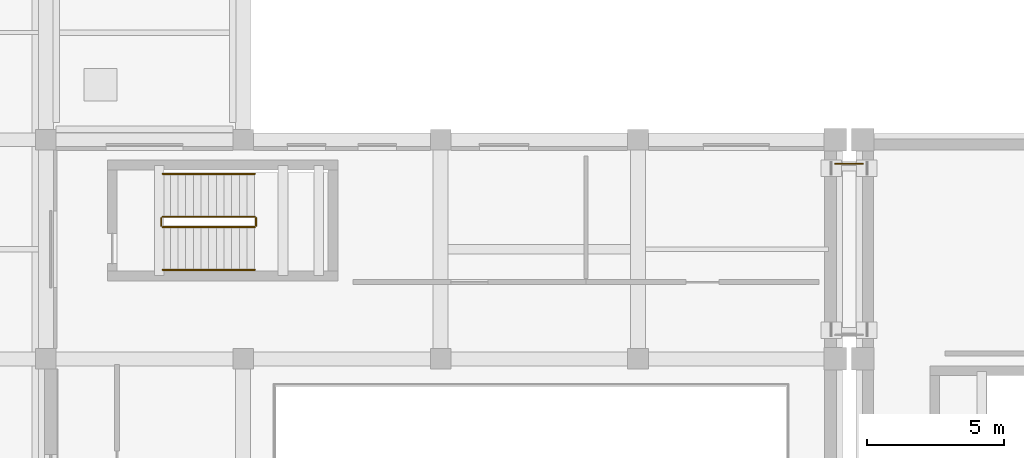
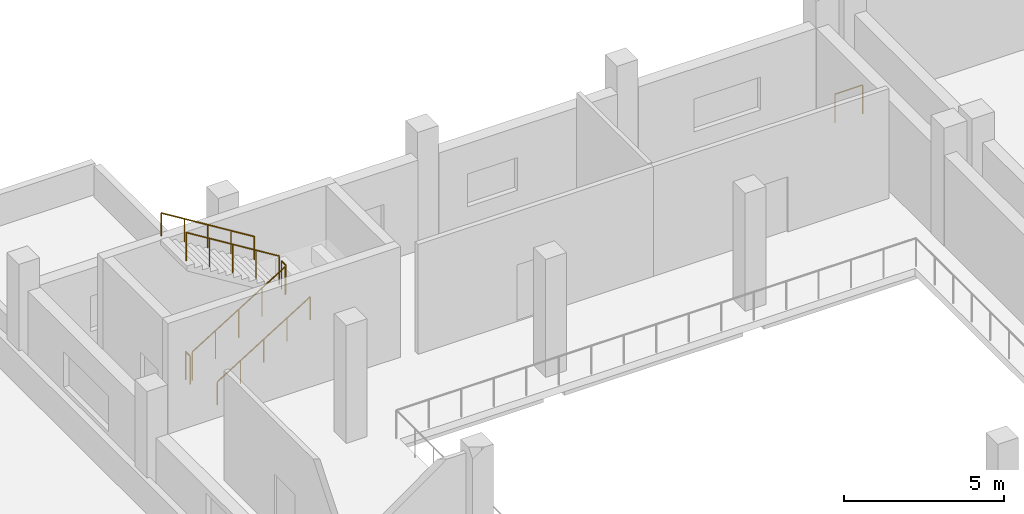
# One storey, part 22 of 23: 7 railings.
"""IFC4 building model written with IfcOpenShell, lengths in metres."""

from ifc_helpers import new_model, si_unit, direction, frame, origin, origin_2d, place, context, subcontext, project, spatial, circle, extrude, material, type_object, element, save


model = new_model("IFC4")

# Units and contexts
model_context = context("Model", 3, precision=1e-05, world=origin(), true_north=direction((0.0, 1.0)))
body_context = subcontext(model_context, "Body", "Model", "MODEL_VIEW")
ifc_project = project(units=[si_unit("LENGTHUNIT", "METRE"), si_unit("AREAUNIT", "SQUARE_METRE"), si_unit("VOLUMEUNIT", "CUBIC_METRE"), si_unit("PLANEANGLEUNIT", "RADIAN"), si_unit("MASSUNIT", "GRAM", prefix="KILO")], contexts=[model_context])

# Site, building, storey
site_placement = place(None, origin())
site = spatial("IfcSite", under=ifc_project, at=site_placement, CompositionType="ELEMENT")
building_placement = place(site_placement, origin())
building = spatial("IfcBuilding", under=site, at=building_placement, Name="Kelarvand Opera House", CompositionType="ELEMENT")
storey_placement = place(building_placement, frame((0.0, 0.0, 19.5)))
storey = spatial("IfcBuildingStorey", under=building, at=storey_placement, Name="L04", CompositionType="ELEMENT", Elevation=19.5)

# Railings
ifc_material_1 = material(Name="Brushed bronze tubular rail")
railing_type_1 = type_object("IfcRailingType", Name="Brushed Bronze Stair Wall Handrail 900", PredefinedType="HANDRAIL", material=ifc_material_1)
railing_1_placement = place(storey_placement, frame((63.4599609375, 73.64990234375, 0.173095703125)))
element("IfcRailing", 1, at=railing_1_placement, inside=storey, type_object=railing_type_1, Name="L04 ST-03 stair handrail 1", PredefinedType="HANDRAIL", context=body_context, shape_type="SweptSolid", body=[
    extrude(circle(Radius=0.02392578125, at=origin_2d()), frame((0.0, 0.0, 0.8759765625), z_axis=(0.850623216509, 0.0, 0.525775754039), x_axis=(0.0, 1.0, 0.0)), (0.0, 0.0, 1.0), 3.9501953125),
    extrude(circle(Radius=0.02099609375, at=origin_2d()), origin(), (0.0, 0.0, 1.0), 0.851806640625),
    extrude(circle(Radius=0.02099609375, at=origin_2d()), frame((0.840087890625, 0.0, 0.519287109375)), (0.0, 0.0, 1.0), 0.851806640625),
    extrude(circle(Radius=0.02099609375, at=origin_2d()), frame((1.68017578125, 0.0, 1.03857421875)), (0.0, 0.0, 1.0), 0.851806640625),
    extrude(circle(Radius=0.02099609375, at=origin_2d()), frame((2.52001953125, 0.0, 1.5576171875)), (0.0, 0.0, 1.0), 0.851806640625),
    extrude(circle(Radius=0.02099609375, at=origin_2d()), frame((3.360107421875, 0.0, 2.076904296875)), (0.0, 0.0, 1.0), 0.851806640625),
])
railing_2_placement = place(storey_placement, frame((66.820068359375, 77.14990234375, 2.423095703125)))
element("IfcRailing", 2, at=railing_2_placement, inside=storey, type_object=railing_type_1, Name="L04 ST-03 stair handrail 2", PredefinedType="HANDRAIL", context=body_context, shape_type="SweptSolid", body=[
    extrude(circle(Radius=0.02392578125, at=origin_2d()), frame((0.0, 0.0, 0.8759765625), z_axis=(-0.850623216509, 0.0, 0.525775754039), x_axis=(0.0, -1.0, 0.0)), (0.0, 0.0, 1.0), 3.9501953125),
    extrude(circle(Radius=0.02099609375, at=origin_2d()), origin(), (0.0, 0.0, 1.0), 0.851806640625),
    extrude(circle(Radius=0.02099609375, at=origin_2d()), frame((-0.840087890625, 0.0, 0.519287109375)), (0.0, 0.0, 1.0), 0.851806640625),
    extrude(circle(Radius=0.02099609375, at=origin_2d()), frame((-1.68017578125, 0.0, 1.03857421875)), (0.0, 0.0, 1.0), 0.851806640625),
    extrude(circle(Radius=0.02099609375, at=origin_2d()), frame((-2.52001953125, 0.0, 1.5576171875)), (0.0, 0.0, 1.0), 0.851806640625),
    extrude(circle(Radius=0.02099609375, at=origin_2d()), frame((-3.360107421875, 0.0, 2.076904296875)), (0.0, 0.0, 1.0), 0.851806640625),
])
ifc_material_2 = material(Name="Laminated safety glass with bronze cap rail", Category="glass")
railing_type_2 = type_object("IfcRailingType", Name="Laminated Glass and Bronze Foyer Balustrade 1120", PredefinedType="BALUSTRADE", material=ifc_material_2)
railing_3_placement = place(storey_placement, frame((88.0, 77.52001953125, 0.0)))
element("IfcRailing", 3, at=railing_3_placement, inside=storey, type_object=railing_type_2, Name="V1 L04 Balustrade 144", PredefinedType="BALUSTRADE", context=body_context, shape_type="SweptSolid", body=[
    extrude(circle(Radius=0.02392578125, at=origin_2d()), frame((0.0, 0.0, 1.09619140625), z_axis=(1.0, 0.0, 0.0), x_axis=(0.0, 1.0, 0.0)), (0.0, 0.0, 1.0), 1.0),
    extrude(circle(Radius=0.02099609375, at=origin_2d()), origin(), (0.0, 0.0, 1.0), 1.072021484375),
    extrude(circle(Radius=0.02099609375, at=origin_2d()), frame((1.0, 0.0, 0.0)), (0.0, 0.0, 1.0), 1.072021484375),
])
ifc_material_3 = material(Name="Powder-coated Steel S355", Category="steel")
railing_type_3 = type_object("IfcRailingType", Name="Painted Steel Stair and Void Guardrail 1100", PredefinedType="GUARDRAIL", material=ifc_material_3)
railing_4_placement = place(storey_placement, frame((63.4599609375, 75.2099609375, 0.173095703125)))
element("IfcRailing", 4, at=railing_4_placement, inside=storey, type_object=railing_type_3, Name="L04 ST-03 stair guard 1", PredefinedType="GUARDRAIL", context=body_context, shape_type="SweptSolid", body=[
    extrude(circle(Radius=0.02392578125, at=origin_2d()), frame((0.0, 0.0, 1.076171875), z_axis=(0.850623216509, 0.0, 0.525775754039), x_axis=(0.0, 1.0, 0.0)), (0.0, 0.0, 1.0), 3.9501953125),
    extrude(circle(Radius=0.02099609375, at=origin_2d()), origin(), (0.0, 0.0, 1.0), 1.052001953125),
    extrude(circle(Radius=0.02099609375, at=origin_2d()), frame((0.840087890625, 0.0, 0.519287109375)), (0.0, 0.0, 1.0), 1.052001953125),
    extrude(circle(Radius=0.02099609375, at=origin_2d()), frame((1.68017578125, 0.0, 1.03857421875)), (0.0, 0.0, 1.0), 1.052001953125),
    extrude(circle(Radius=0.02099609375, at=origin_2d()), frame((2.52001953125, 0.0, 1.5576171875)), (0.0, 0.0, 1.0), 1.052001953125),
    extrude(circle(Radius=0.02099609375, at=origin_2d()), frame((3.360107421875, 0.0, 2.076904296875)), (0.0, 0.0, 1.0), 1.052001953125),
])
railing_5_placement = place(storey_placement, frame((66.8701171875, 75.260009765625, 2.25)))
element("IfcRailing", 5, at=railing_5_placement, inside=storey, type_object=railing_type_3, Name="L04 ST-03 stair guard 2", PredefinedType="GUARDRAIL", context=body_context, shape_type="SweptSolid", body=[
    extrude(circle(Radius=0.02392578125, at=origin_2d()), frame((0.0, 0.0, 1.076171875), z_axis=(0.0, 1.0, 0.0), x_axis=(-1.0, 0.0, 0.0)), (0.0, 0.0, 1.0), 0.280029296875),
    extrude(circle(Radius=0.02099609375, at=origin_2d()), origin(), (0.0, 0.0, 1.0), 1.052001953125),
    extrude(circle(Radius=0.02099609375, at=origin_2d()), frame((0.0, 0.280029296875, 0.0)), (0.0, 0.0, 1.0), 1.052001953125),
])
railing_6_placement = place(storey_placement, frame((66.820068359375, 75.590087890625, 2.423095703125)))
element("IfcRailing", 6, at=railing_6_placement, inside=storey, type_object=railing_type_3, Name="L04 ST-03 stair guard 3", PredefinedType="GUARDRAIL", context=body_context, shape_type="SweptSolid", body=[
    extrude(circle(Radius=0.02392578125, at=origin_2d()), frame((0.0, 0.0, 1.076171875), z_axis=(-0.850623216509, 0.0, 0.525775754039), x_axis=(0.0, -1.0, 0.0)), (0.0, 0.0, 1.0), 3.9501953125),
    extrude(circle(Radius=0.02099609375, at=origin_2d()), origin(), (0.0, 0.0, 1.0), 1.052001953125),
    extrude(circle(Radius=0.02099609375, at=origin_2d()), frame((-0.840087890625, 0.0, 0.519287109375)), (0.0, 0.0, 1.0), 1.052001953125),
    extrude(circle(Radius=0.02099609375, at=origin_2d()), frame((-1.68017578125, 0.0, 1.03857421875)), (0.0, 0.0, 1.0), 1.052001953125),
    extrude(circle(Radius=0.02099609375, at=origin_2d()), frame((-2.52001953125, 0.0, 1.5576171875)), (0.0, 0.0, 1.0), 1.052001953125),
    extrude(circle(Radius=0.02099609375, at=origin_2d()), frame((-3.360107421875, 0.0, 2.076904296875)), (0.0, 0.0, 1.0), 1.052001953125),
])
railing_7_placement = place(storey_placement, frame((63.409912109375, 75.260009765625, 0.0)))
element("IfcRailing", 7, at=railing_7_placement, inside=storey, type_object=railing_type_3, Name="L04 ST-03 stair guard 4", PredefinedType="GUARDRAIL", context=body_context, shape_type="SweptSolid", body=[
    extrude(circle(Radius=0.02392578125, at=origin_2d()), frame((0.0, 0.0, 1.076171875), z_axis=(0.0, 1.0, 0.0), x_axis=(-1.0, 0.0, 0.0)), (0.0, 0.0, 1.0), 0.280029296875),
    extrude(circle(Radius=0.02099609375, at=origin_2d()), origin(), (0.0, 0.0, 1.0), 1.052001953125),
    extrude(circle(Radius=0.02099609375, at=origin_2d()), frame((0.0, 0.280029296875, 0.0)), (0.0, 0.0, 1.0), 1.052001953125),
])

save(model, "model.ifc")
